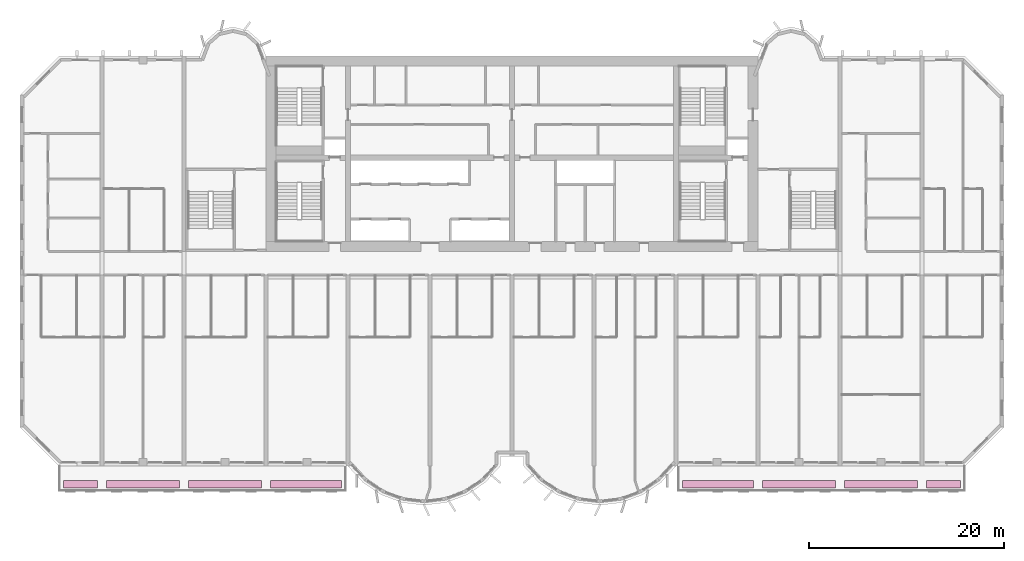
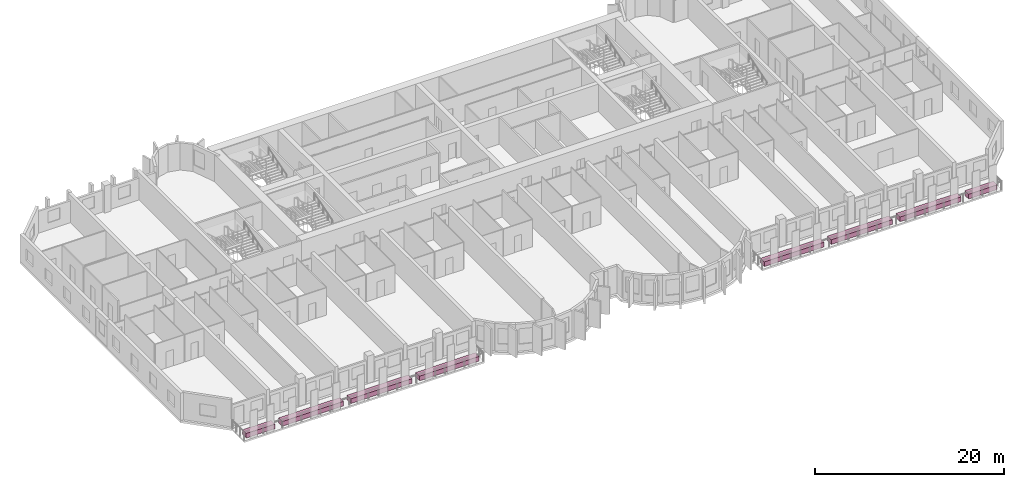
# One storey, part 15 of 15: 8 furniture elements.
"""IFC4 building model written with IfcOpenShell, lengths in metres."""

import ifcopenshell
import ifcopenshell.guid

model = None  # the IFC model being written
_history = None  # IfcOwnerHistory: only IFC2X3 demands one
_inside = {}  # id of a spatial element -> (the spatial element, [elements in it])
_under = {}  # id of a project, library or spatial element -> (it, [spatial elements below it])
_declared = {}  # id of a project -> (the project, [libraries it declares])
_typed = {}  # id of a type object -> (the type object, [elements of that type])
_made_of = {}  # id of a material, layer set ... -> (it, [elements and type objects made of it])


def new_model(schema):
    """Start an empty IFC model of exactly this schema.

    Asked for "IFC4X3", IfcOpenShell would pick the latest addendum, in which some entities
    have other attributes; the version numbers below select the first issue.
    IFC2X3 requires an IfcOwnerHistory on every rooted entity: one is made here for all.
    """
    global model, _history
    if schema == "IFC4X3":
        model = ifcopenshell.file(schema_version=(4, 3, 0, 0))
    else:
        model = ifcopenshell.file(schema=schema)
    _inside.clear()
    _under.clear()
    _declared.clear()
    _typed.clear()
    _made_of.clear()
    _history = None
    if model.schema == "IFC2X3":
        org = make("IfcOrganization", Name="unknown")
        user = make(
            "IfcPersonAndOrganization",
            ThePerson=make("IfcPerson", FamilyName="unknown"),
            TheOrganization=org,
        )
        app = make(
            "IfcApplication",
            ApplicationDeveloper=org,
            Version="unknown",
            ApplicationFullName="unknown",
            ApplicationIdentifier="unknown",
        )
        _history = make(
            "IfcOwnerHistory",
            OwningUser=user,
            OwningApplication=app,
            ChangeAction="ADDED",
            CreationDate=0,
        )
    return model


def make(cls, **values):
    """One entity of the class cls with the attributes given. An attribute that is None is left unset."""
    return model.create_entity(
        cls, **{name: value for name, value in values.items() if value is not None}
    )


def rooted(cls, **values):
    """An entity with a GlobalId (a new one), such as an element, a storey or a relation."""
    return make(cls, GlobalId=ifcopenshell.guid.new(), OwnerHistory=_history, **values)


def si_unit(unit_type, name, prefix=None):
    """IfcSIUnit, for example si_unit("LENGTHUNIT", "METRE", prefix="MILLI")."""
    return make("IfcSIUnit", UnitType=unit_type, Prefix=prefix, Name=name)


def assignment(units):
    """IfcUnitAssignment: the units of a project."""
    return None if units is None else make("IfcUnitAssignment", Units=units)


def point(xyz):
    """IfcCartesianPoint."""
    return None if xyz is None else make("IfcCartesianPoint", Coordinates=xyz)


def direction(xyz):
    """IfcDirection."""
    return None if xyz is None else make("IfcDirection", DirectionRatios=xyz)


def frame(location, z_axis=None, x_axis=None):
    """IfcAxis2Placement3D, a coordinate frame: its origin and axes. An axis left out is left unset."""
    return make(
        "IfcAxis2Placement3D",
        Location=point(location),
        Axis=direction(z_axis),
        RefDirection=direction(x_axis),
    )


def frame_2d(location, x_axis=None):
    """IfcAxis2Placement2D, a coordinate frame in the plane: its origin and x axis."""
    return make(
        "IfcAxis2Placement2D", Location=point(location), RefDirection=direction(x_axis)
    )


def origin():
    """The frame at (0, 0, 0) with its axes left unset."""
    return frame((0.0, 0.0, 0.0))


def origin_2d():
    """The frame at (0, 0) in the plane with its x axis left unset."""
    return frame_2d((0.0, 0.0))


def place(relative_to, where):
    """IfcLocalPlacement: puts the frame where relative to a parent placement (None: the world)."""
    return make(
        "IfcLocalPlacement", PlacementRelTo=relative_to, RelativePlacement=where
    )


def context(
    kind, dimensions, precision=None, world=None, true_north=None, identifier=None
):
    """IfcGeometricRepresentationContext, for example the 3D "Model" context."""
    return make(
        "IfcGeometricRepresentationContext",
        ContextIdentifier=identifier,
        ContextType=kind,
        CoordinateSpaceDimension=dimensions,
        Precision=precision,
        WorldCoordinateSystem=world,
        TrueNorth=true_north,
    )


def subcontext(parent, identifier, kind, view, scale=None):
    """IfcGeometricRepresentationSubContext, for example "Body" below "Model"."""
    return make(
        "IfcGeometricRepresentationSubContext",
        ContextIdentifier=identifier,
        ContextType=kind,
        ParentContext=parent,
        TargetScale=scale,
        TargetView=view,
    )


def project(units=None, contexts=None):
    """IfcProject with its units and contexts."""
    return rooted(
        "IfcProject",
        Name="project",
        RepresentationContexts=contexts,
        UnitsInContext=assignment(units),
    )


def spatial(cls, under=None, at=None, **own):
    """A site, building, storey or space (cls), placed at a placement, below another one or the project."""
    s = rooted(cls, ObjectPlacement=at, **own)
    if under is not None:
        _under.setdefault(under.id(), (under, []))[1].append(s)
    return s


def profile(cls, at=None, kind="AREA", **sizes):
    """A parametric profile (cls). Its sizes go by their IFC names, for example OverallWidth=200.0."""
    return make(cls, ProfileType=kind, Position=at, **sizes)


def rectangle(**sizes):
    """IfcRectangleProfileDef."""
    return profile("IfcRectangleProfileDef", **sizes)


def extrude(swept, where, along, depth):
    """IfcExtrudedAreaSolid: the profile swept, set in the frame where, extruded along a direction by depth."""
    return make(
        "IfcExtrudedAreaSolid",
        SweptArea=swept,
        Position=where,
        ExtrudedDirection=direction(along),
        Depth=depth,
    )


def shape(context_of_items, identifier, shape_type, items):
    """IfcShapeRepresentation: the items that make up one representation, for example the "Body"."""
    return make(
        "IfcShapeRepresentation",
        ContextOfItems=context_of_items,
        RepresentationIdentifier=identifier,
        RepresentationType=shape_type,
        Items=items,
    )


def source(mapping_origin, context_of_items, identifier, shape_type, items):
    """IfcRepresentationMap: a shape defined once, which mapped items show again and again."""
    return make(
        "IfcRepresentationMap",
        MappingOrigin=mapping_origin,
        MappedRepresentation=shape(context_of_items, identifier, shape_type, items),
    )


def transform(
    local_origin,
    x_axis=None,
    y_axis=None,
    z_axis=None,
    scale=None,
    scale2=None,
    scale3=None,
    uniform=True,
):
    """IfcCartesianTransformationOperator3D, or its non-uniform kind. x_axis, y_axis, z_axis: its Axis1, 2, 3."""
    if uniform:
        return make(
            "IfcCartesianTransformationOperator3D",
            Axis1=direction(x_axis),
            Axis2=direction(y_axis),
            LocalOrigin=point(local_origin),
            Scale=scale,
            Axis3=direction(z_axis),
        )
    return make(
        "IfcCartesianTransformationOperator3DnonUniform",
        Axis1=direction(x_axis),
        Axis2=direction(y_axis),
        LocalOrigin=point(local_origin),
        Scale=scale,
        Axis3=direction(z_axis),
        Scale2=scale2,
        Scale3=scale3,
    )


def mapped(mapping_source, mapping_target):
    """IfcMappedItem: shows the shape of a source again, moved by a transform."""
    return make(
        "IfcMappedItem", MappingSource=mapping_source, MappingTarget=mapping_target
    )


def material(Name=None, Category=None):
    """IfcMaterial."""
    return make("IfcMaterial", Name=Name, Category=Category)


def made_of(thing, what):
    """Note that an element or type object is made of a material, layer set ...; save() writes the relation."""
    if what is not None:
        _made_of.setdefault(what.id(), (what, []))[1].append(thing)
    return thing


def type_object(cls, material=None, **own):
    """A type object (cls), such as IfcWallType, which elements share."""
    return made_of(rooted(cls, **own), material)


def element(
    cls,
    number,
    at=None,
    inside=None,
    cuts=None,
    type_object=None,
    material=None,
    context=None,
    identifier="Body",
    shape_type=None,
    held_by="IfcProductDefinitionShape",
    body=None,
    shapes=None,
    **own,
):
    """One element of the class cls, such as IfcWall. Its Tag is "e" and its number.

    at: its placement. inside: the storey or other place that contains it. cuts: it is an
    opening in that element (IfcRelVoidsElement). A single representation is given by context,
    identifier, shape_type and body (its items); several are given by shapes. held_by: the class
    of the entity that holds the representations. save() writes the other relations.
    """
    e = rooted(cls, Tag="e%d" % number, ObjectPlacement=at, **own)
    if body is not None:
        shapes = [shape(context, identifier, shape_type, body)]
    if shapes is not None:
        e.Representation = make(held_by, Representations=shapes)
    if inside is not None:
        _inside.setdefault(inside.id(), (inside, []))[1].append(e)
    if cuts is not None:
        rooted(
            "IfcRelVoidsElement", RelatingBuildingElement=cuts, RelatedOpeningElement=e
        )
    if type_object is not None:
        _typed.setdefault(type_object.id(), (type_object, []))[1].append(e)
    return made_of(e, material)


def aggregate(whole, parts):
    """IfcRelAggregates: a whole, such as a stair, and the parts it consists of."""
    return rooted("IfcRelAggregates", RelatingObject=whole, RelatedObjects=parts)


def save(model, path):
    """Write the relations noted so far, then the file.

    IfcRelAggregates (storeys below a building ...), IfcRelContainedInSpatialStructure (elements
    in a storey), IfcRelDefinesByType, IfcRelAssociatesMaterial and IfcRelDeclares: one each for
    every whole, place, type object, material and project.
    """
    for whole, parts in _under.values():
        aggregate(whole, parts)
    for where, things in _inside.values():
        rooted(
            "IfcRelContainedInSpatialStructure",
            RelatedElements=things,
            RelatingStructure=where,
        )
    for kind, things in _typed.values():
        rooted("IfcRelDefinesByType", RelatedObjects=things, RelatingType=kind)
    for what, things in _made_of.values():
        rooted("IfcRelAssociatesMaterial", RelatedObjects=things, RelatingMaterial=what)
    for by, libraries in _declared.values():
        rooted("IfcRelDeclares", RelatingContext=by, RelatedDefinitions=libraries)
    model.write(path)


model = new_model("IFC4")

# Units and contexts
model_context = context("Model", 3, precision=1e-05, world=origin(), true_north=direction((0.0, 1.0)))
body_context = subcontext(model_context, "Body", "Model", "MODEL_VIEW")
ifc_project = project(units=[si_unit("LENGTHUNIT", "METRE"), si_unit("AREAUNIT", "SQUARE_METRE"), si_unit("VOLUMEUNIT", "CUBIC_METRE"), si_unit("PLANEANGLEUNIT", "RADIAN"), si_unit("MASSUNIT", "GRAM", prefix="KILO")], contexts=[model_context])

# Site, building, storey
site_placement = place(None, origin())
site = spatial("IfcSite", under=ifc_project, at=site_placement, CompositionType="ELEMENT")
building_placement = place(site_placement, origin())
building = spatial("IfcBuilding", under=site, at=building_placement, Name="Vanashikhar Sky Hotel", CompositionType="ELEMENT")
storey_placement = place(building_placement, frame((0.0, 0.0, 46.800048828125)))
storey = spatial("IfcBuildingStorey", under=building, at=storey_placement, Name="L10", CompositionType="ELEMENT", Elevation=46.800048828125)

# Furniture
ifc_material = material(Name="Planting soil and shrubs")
furniture_type = type_object("IfcFurnitureType", Name="Planter trough", AssemblyPlace="NOTDEFINED", PredefinedType="USERDEFINED", material=ifc_material)
shared_shape_1 = source(origin(), body_context, "Body", "SweptSolid", [
    extrude(rectangle(XDim=3.5, YDim=0.800048828125, at=origin_2d()), origin(), (0.0, 0.0, 1.0), 0.60009765625),
])
for number, where, z_axis, x_axis, name in (
    (1, (6.199951171875, -1.85009765625, -0.050048828125), (0.0, 0.0, 1.0), (1.0, 0.0, 0.0), "PLANTER with climbers"),
    (2, (94.60009765625, -1.85009765625, -0.050048828125), (0.0, 0.0, 1.0), (1.0, 0.0, 0.0), "PLANTER with climbers"),
):
    element("IfcFurniture", number, at=place(storey_placement, frame(where, z_axis=z_axis, x_axis=x_axis)), inside=storey, type_object=furniture_type, Name=name, ObjectType="PLANTER", PredefinedType="USERDEFINED", context=body_context, shape_type="MappedRepresentation", body=[
        mapped(shared_shape_1, transform((0.0, 0.0, 0.0), scale=1.0)),
    ])
shared_shape_2 = source(origin(), body_context, "Body", "SweptSolid", [
    extrude(rectangle(XDim=7.5, YDim=0.800048828125, at=origin_2d()), origin(), (0.0, 0.0, 1.0), 0.60009765625),
])
for number, where, z_axis, x_axis, name in (
    (3, (12.60009765625, -1.85009765625, -0.050048828125), (0.0, 0.0, 1.0), (1.0, 0.0, 0.0), "PLANTER with climbers"),
    (4, (21.0, -1.85009765625, -0.050048828125), (0.0, 0.0, 1.0), (1.0, 0.0, 0.0), "PLANTER with climbers"),
    (5, (79.800048828125, -1.85009765625, -0.050048828125), (0.0, 0.0, 1.0), (1.0, 0.0, 0.0), "PLANTER with climbers"),
    (6, (88.199951171875, -1.85009765625, -0.050048828125), (0.0, 0.0, 1.0), (1.0, 0.0, 0.0), "PLANTER with climbers"),
):
    element("IfcFurniture", number, at=place(storey_placement, frame(where, z_axis=z_axis, x_axis=x_axis)), inside=storey, type_object=furniture_type, Name=name, ObjectType="PLANTER", PredefinedType="USERDEFINED", context=body_context, shape_type="MappedRepresentation", body=[
        mapped(shared_shape_2, transform((0.0, 0.0, 0.0), scale=1.0)),
    ])
shared_shape_3 = source(origin(), body_context, "Body", "SweptSolid", [
    extrude(rectangle(XDim=7.300048828125, YDim=0.800048828125, at=origin_2d()), origin(), (0.0, 0.0, 1.0), 0.60009765625),
])
for number, where, z_axis, x_axis, name in (
    (7, (29.300048828125, -1.85009765625, -0.050048828125), (0.0, 0.0, 1.0), (1.0, 0.0, 0.0), "PLANTER with climbers"),
    (8, (71.5, -1.85009765625, -0.050048828125), (0.0, 0.0, 1.0), (1.0, 0.0, 0.0), "PLANTER with climbers"),
):
    element("IfcFurniture", number, at=place(storey_placement, frame(where, z_axis=z_axis, x_axis=x_axis)), inside=storey, type_object=furniture_type, Name=name, ObjectType="PLANTER", PredefinedType="USERDEFINED", context=body_context, shape_type="MappedRepresentation", body=[
        mapped(shared_shape_3, transform((0.0, 0.0, 0.0), scale=1.0)),
    ])

save(model, "model.ifc")
